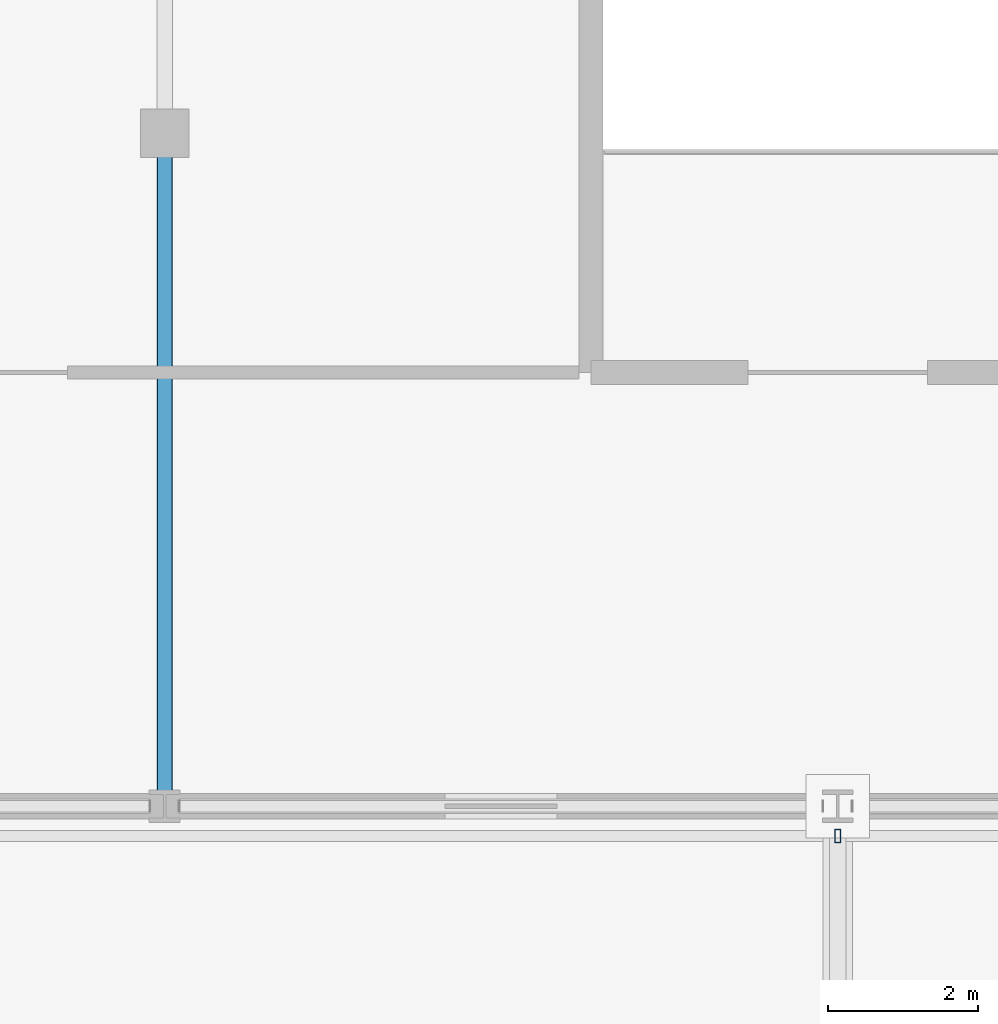
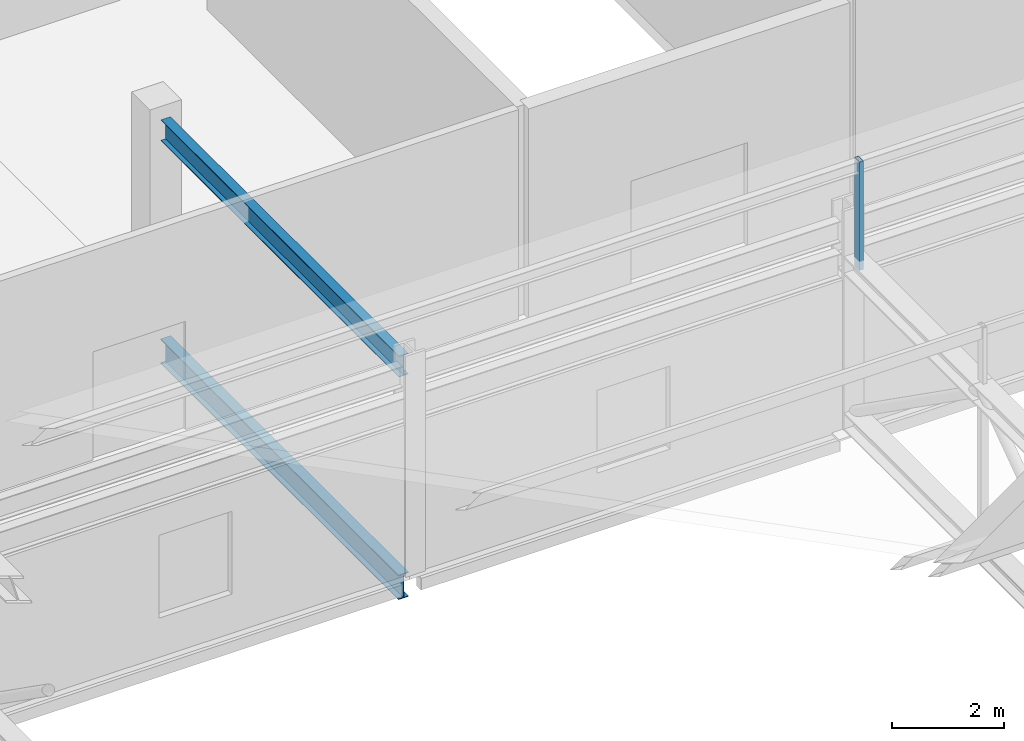
# One storey, part 58 of 136: 2 beams, 1 member.
"""IFC4 building model written with IfcOpenShell, lengths in metres."""

from ifc_helpers import new_model, si_unit, direction, frame, origin, origin_2d, place, context, subcontext, project, spatial, hollow_rectangle, i_section, extrude, material, material_profile, profile_set, type_object, element, save


model = new_model("IFC4")

# Units and contexts
model_context = context("Model", 3, precision=1e-05, world=origin(), true_north=direction((0.0, 1.0)))
body_context = subcontext(model_context, "Body", "Model", "MODEL_VIEW")
ifc_project = project(units=[si_unit("LENGTHUNIT", "METRE"), si_unit("AREAUNIT", "SQUARE_METRE"), si_unit("VOLUMEUNIT", "CUBIC_METRE"), si_unit("PLANEANGLEUNIT", "RADIAN"), si_unit("MASSUNIT", "GRAM", prefix="KILO")], contexts=[model_context])

# Site, building, storey
site_placement = place(None, origin())
site = spatial("IfcSite", under=ifc_project, at=site_placement, CompositionType="ELEMENT")
building_placement = place(site_placement, origin())
building = spatial("IfcBuilding", under=site, at=building_placement, Name="Kisiwana Market Hall", CompositionType="ELEMENT")
storey_placement = place(building_placement, frame((0.0, 0.0, 16.800048828125)))
storey = spatial("IfcBuildingStorey", under=building, at=storey_placement, Name="L03", CompositionType="ELEMENT", Elevation=16.800048828125)

# Beams
ifc_material_1 = material(Name="Steel S355", Category="steel")
ifc_material_profile_1 = material_profile(ifc_material_1, i_section(OverallWidth=0.19140625, OverallDepth=0.4599609375, WebThickness=0.010009765625, FlangeThickness=0.01611328125, at=origin_2d()), Name="UB 457x191x82")
ifc_profile_set_1 = profile_set([ifc_material_profile_1], Name="Steel S355")
beam_type_1 = type_object("IfcBeamType", Name="BM-GIRD-UB457H", PredefinedType="BEAM", material=ifc_profile_set_1)
beam_1_placement = place(storey_placement, frame((99.0, 84.21337890625, 4.27783203125), z_axis=(0.0, 1.0, 0.0), x_axis=(-1.0, 0.0, 0.0)))
element("IfcBeam", 1, at=beam_1_placement, inside=storey, type_object=beam_type_1, Name="Roof girder B-1160", PredefinedType="BEAM", context=body_context, shape_type="SweptSolid", body=[
    extrude(i_section(OverallWidth=0.19140625, OverallDepth=0.4599609375, WebThickness=0.010009765625, FlangeThickness=0.01611328125, at=origin_2d()), origin(), (0.0, 0.0, 1.0), 8.465576171875),
])
ifc_material_2 = material(Name="Steel S355", Category="steel")
ifc_material_profile_2 = material_profile(ifc_material_2, i_section(OverallWidth=0.209228515625, OverallDepth=0.533203125, WebThickness=0.010009765625, FlangeThickness=0.015625, at=origin_2d()), Name="UB 533x210x92")
ifc_profile_set_2 = profile_set([ifc_material_profile_2], Name="Steel S355")
beam_type_2 = type_object("IfcBeamType", Name="BM-GIRD-UB533", PredefinedType="BEAM", material=ifc_profile_set_2)
beam_2_placement = place(storey_placement, frame((99.0, 84.21337890625, -0.5166015625), z_axis=(0.0, 1.0, 0.0), x_axis=(-1.0, 0.0, 0.0)))
element("IfcBeam", 2, at=beam_2_placement, inside=storey, type_object=beam_type_2, Name="Primary girder B-0898", PredefinedType="BEAM", context=body_context, shape_type="SweptSolid", body=[
    extrude(i_section(OverallWidth=0.209228515625, OverallDepth=0.533203125, WebThickness=0.010009765625, FlangeThickness=0.015625, at=origin_2d()), origin(), (0.0, 0.0, 1.0), 8.465576171875),
])

# Member
ifc_material_3 = material(Name="Steel S355", Category="steel")
ifc_material_profile_3 = material_profile(ifc_material_3, hollow_rectangle(XDim=0.080078125, YDim=0.179931640625, WallThickness=0.00634765625, at=origin_2d()), Name="RHS 180x80x6.3")
ifc_profile_set_3 = profile_set([ifc_material_profile_3], Name="Steel S355")
member_type = type_object("IfcMemberType", Name="MB-CAN-STRUT", PredefinedType="STRUT", material=ifc_profile_set_3)
member_placement = place(storey_placement, frame((108.0, 83.60009765625, 3.619873046875), z_axis=(0.0, 0.0, 1.0), x_axis=(1.0, 0.0, 0.0)))
element("IfcMember", 3, at=member_placement, inside=storey, type_object=member_type, Name="Sawtooth raker post 342 M-0329", PredefinedType="STRUT", context=body_context, shape_type="SweptSolid", body=[
    extrude(hollow_rectangle(XDim=0.080078125, YDim=0.179931640625, WallThickness=0.00634765625, at=origin_2d()), origin(), (0.0, 0.0, 1.0), 2.355712890625),
])

save(model, "model.ifc")
